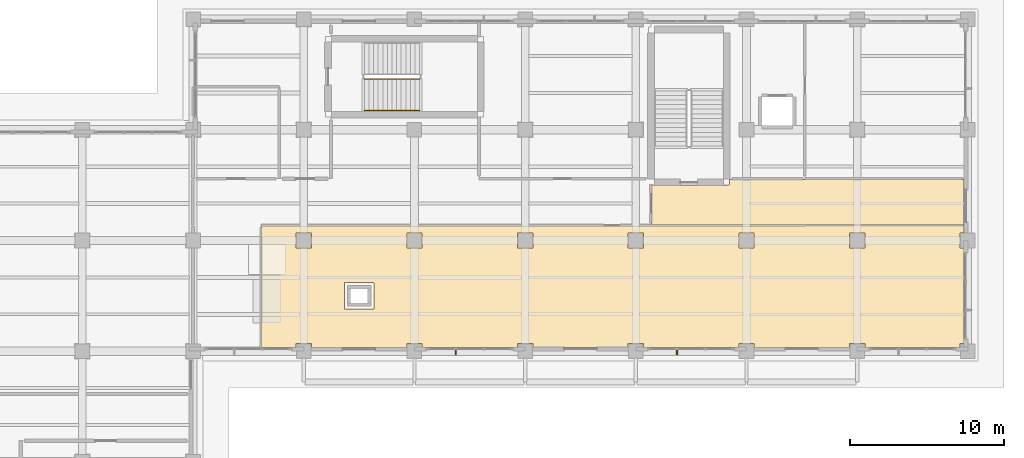
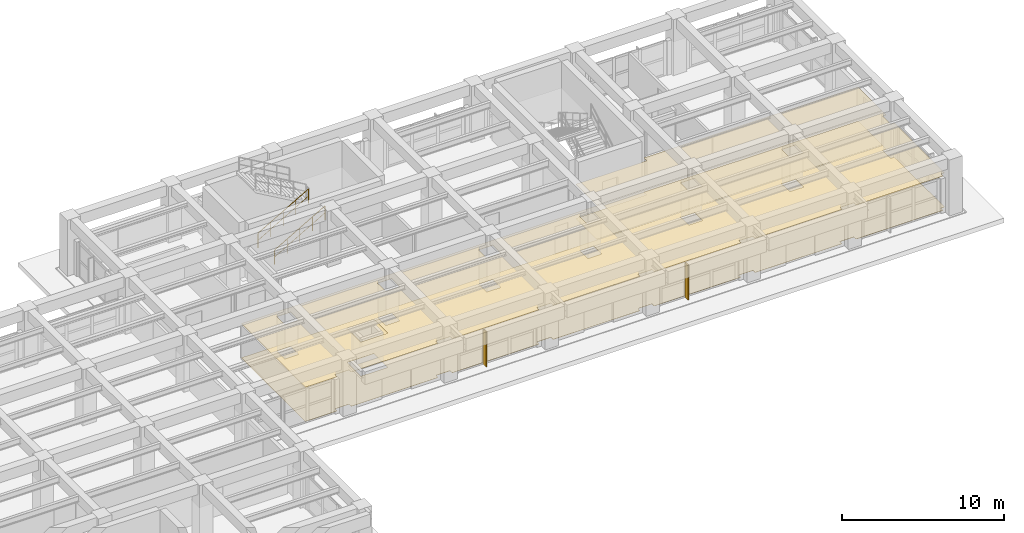
# One storey, part 62 of 64: 4 coverings, 2 railings, 2 shading devices.
"""IFC4 building model written with IfcOpenShell, lengths in metres."""

from ifc_helpers import new_model, si_unit, direction, frame, origin, origin_2d, place, context, subcontext, project, spatial, polyline, rectangle, circle, outline, extrude, material, layer, layer_set, material_profile, profile_set, type_object, element, save


model = new_model("IFC4")

# Units and contexts
model_context = context("Model", 3, precision=1e-05, world=origin(), true_north=direction((0.0, 1.0)))
body_context = subcontext(model_context, "Body", "Model", "MODEL_VIEW")
ifc_project = project(units=[si_unit("LENGTHUNIT", "METRE"), si_unit("AREAUNIT", "SQUARE_METRE"), si_unit("VOLUMEUNIT", "CUBIC_METRE"), si_unit("PLANEANGLEUNIT", "RADIAN"), si_unit("MASSUNIT", "GRAM", prefix="KILO")], contexts=[model_context])

# Site, building, storey
site_placement = place(None, origin())
site = spatial("IfcSite", under=ifc_project, at=site_placement, CompositionType="ELEMENT")
building_placement = place(site_placement, origin())
building = spatial("IfcBuilding", under=site, at=building_placement, Name="Solenvale Faculty of Natural Sciences", CompositionType="ELEMENT")
storey_placement = place(building_placement, origin())
storey = spatial("IfcBuildingStorey", under=building, at=storey_placement, Name="L00", CompositionType="ELEMENT", Elevation=0.0)

# Coverings
ifc_material_1 = material(Name="Acoustic mineral-timber ceiling", Category="wood")
ifc_layer_1 = layer(ifc_material_1, 0.02490234375)
ifc_layer_set_1 = layer_set([ifc_layer_1], Name="Acoustic mineral-timber ceiling")
covering_type_1 = type_object("IfcCoveringType", Name="COV-CEIL-AC25", PredefinedType="CEILING", material=ifc_layer_set_1)
covering_1_placement = place(storey_placement, frame((0.0, 0.0, 2.574951171875)))
element("IfcCovering", 1, at=covering_1_placement, inside=storey, type_object=covering_type_1, Name="L00 Natural History Specimen Exhibition Room Acoustic Ceiling", PredefinedType="CEILING", context=body_context, shape_type="SweptSolid", body=[
    extrude(outline(polyline([(165.360107421875, 43.72998046875), (165.3359375, 43.700927734375), (165.111083984375, 43.699951171875), (165.10009765625, 43.68896484375), (165.10009765625, 42.70703125), (165.3330078125, 42.699951171875), (165.360107421875, 42.669921875), (165.360107421875, 36.530029296875), (165.3330078125, 36.5), (165.10302734375, 36.4970703125), (165.10009765625, 36.26708984375), (165.075927734375, 36.240966796875), (158.929931640625, 36.239990234375), (158.90087890625, 36.263916015625), (158.89990234375, 36.489013671875), (158.888916015625, 36.5), (157.906982421875, 36.5), (157.89990234375, 36.26708984375), (157.8701171875, 36.239990234375), (151.72998046875, 36.239990234375), (151.700927734375, 36.263916015625), (151.699951171875, 36.489013671875), (151.68896484375, 36.5), (150.70703125, 36.5), (150.699951171875, 36.26708984375), (150.669921875, 36.239990234375), (144.530029296875, 36.239990234375), (144.5009765625, 36.263916015625), (144.5, 36.489013671875), (144.489013671875, 36.5), (143.507080078125, 36.5), (143.5, 36.26708984375), (143.469970703125, 36.239990234375), (137.330078125, 36.239990234375), (137.301025390625, 36.263916015625), (137.300048828125, 36.489013671875), (137.2890625, 36.5), (136.306884765625, 36.5), (136.300048828125, 36.26708984375), (136.27001953125, 36.239990234375), (130.1298828125, 36.239990234375), (130.10107421875, 36.263916015625), (130.10009765625, 36.489013671875), (130.089111328125, 36.5), (129.10693359375, 36.5), (129.10009765625, 36.26708984375), (129.070068359375, 36.239990234375), (122.929931640625, 36.239990234375), (122.90087890625, 36.263916015625), (122.89990234375, 36.489013671875), (122.888916015625, 36.5), (121.906982421875, 36.5), (121.89990234375, 36.26708984375), (121.873046875, 36.239990234375), (119.669921875, 36.239990234375), (119.64111328125, 36.263916015625), (119.639892578125, 44.1298828125), (119.6640625, 44.158935546875), (165.330078125, 44.159912109375), (165.360107421875, 44.133056640625), (165.360107421875, 43.72998046875)]), holes=[polyline([(158.89990234375, 43.68896484375), (158.888916015625, 43.699951171875), (157.903076171875, 43.697021484375), (157.903076171875, 42.702880859375), (158.89697265625, 42.702880859375), (158.89990234375, 43.68896484375)]), polyline([(150.7109375, 43.699951171875), (150.699951171875, 43.68896484375), (150.702880859375, 42.702880859375), (151.697021484375, 42.702880859375), (151.697021484375, 43.697021484375), (150.7109375, 43.699951171875)]), polyline([(144.5, 43.68896484375), (144.489013671875, 43.699951171875), (143.5029296875, 43.697021484375), (143.5029296875, 42.702880859375), (144.4970703125, 42.702880859375), (144.5, 43.68896484375)]), polyline([(137.300048828125, 43.68896484375), (137.2890625, 43.699951171875), (136.302978515625, 43.697021484375), (136.302978515625, 42.702880859375), (137.297119140625, 42.702880859375), (137.300048828125, 43.68896484375)]), polyline([(130.10009765625, 43.68896484375), (130.089111328125, 43.699951171875), (129.10302734375, 43.697021484375), (129.10302734375, 42.702880859375), (130.096923828125, 42.702880859375), (130.10009765625, 43.68896484375)]), polyline([(126.931884765625, 38.739990234375), (126.951904296875, 38.75), (126.9599609375, 38.77001953125), (126.9599609375, 40.429931640625), (126.949951171875, 40.451904296875), (125.070068359375, 40.4599609375), (125.048095703125, 40.449951171875), (125.0400390625, 38.77001953125), (125.050048828125, 38.748046875), (126.931884765625, 38.739990234375)]), polyline([(122.89990234375, 43.68896484375), (122.888916015625, 43.699951171875), (121.903076171875, 43.697021484375), (121.903076171875, 42.702880859375), (122.89697265625, 42.702880859375), (122.89990234375, 43.68896484375)])]), origin(), (0.0, 0.0, 1.0), 0.025146484375),
])
covering_2_placement = place(storey_placement, frame((0.0, 0.0, 2.574951171875)))
element("IfcCovering", 2, at=covering_2_placement, inside=storey, type_object=covering_type_1, Name="L00 Protected Exit Passage ST-02 Acoustic Ceiling", PredefinedType="CEILING", context=body_context, shape_type="SweptSolid", body=[
    extrude(outline(polyline([(150.050048828125, 46.820068359375), (150.080078125, 46.844970703125), (150.080078125, 47.153076171875), (150.110107421875, 47.179931640625), (165.3359375, 47.178955078125), (165.360107421875, 47.14990234375), (165.35888671875, 44.243896484375), (165.330078125, 44.219970703125), (145.050048828125, 44.219970703125), (145.02392578125, 44.236083984375), (145.02001953125, 46.7900390625), (145.035888671875, 46.81591796875), (150.050048828125, 46.820068359375)])), origin(), (0.0, 0.0, 1.0), 0.025146484375),
])
ifc_material_2 = material(Name="Polished slate terrazzo flooring", Category="masonry")
ifc_layer_2 = layer(ifc_material_2, 0.01806640625)
ifc_layer_set_2 = layer_set([ifc_layer_2], Name="Polished slate terrazzo flooring")
covering_type_2 = type_object("IfcCoveringType", Name="COV-FLR-TRZ18", PredefinedType="FLOORING", material=ifc_layer_set_2)
covering_3_placement = place(storey_placement, origin())
element("IfcCovering", 3, at=covering_3_placement, inside=storey, type_object=covering_type_2, Name="L00 Natural History Specimen Exhibition Room Floor Finish", PredefinedType="FLOORING", context=body_context, shape_type="SweptSolid", body=[
    extrude(outline(polyline([(165.360107421875, 43.72998046875), (165.3359375, 43.700927734375), (165.111083984375, 43.699951171875), (165.10009765625, 43.68896484375), (165.10009765625, 42.70703125), (165.3330078125, 42.699951171875), (165.360107421875, 42.669921875), (165.360107421875, 36.530029296875), (165.3330078125, 36.5), (165.10302734375, 36.4970703125), (165.10009765625, 36.26708984375), (165.075927734375, 36.240966796875), (158.929931640625, 36.239990234375), (158.90087890625, 36.263916015625), (158.89990234375, 36.489013671875), (158.888916015625, 36.5), (157.906982421875, 36.5), (157.89990234375, 36.26708984375), (157.8701171875, 36.239990234375), (151.72998046875, 36.239990234375), (151.700927734375, 36.263916015625), (151.699951171875, 36.489013671875), (151.68896484375, 36.5), (150.70703125, 36.5), (150.699951171875, 36.26708984375), (150.669921875, 36.239990234375), (144.530029296875, 36.239990234375), (144.5009765625, 36.263916015625), (144.5, 36.489013671875), (144.489013671875, 36.5), (143.507080078125, 36.5), (143.5, 36.26708984375), (143.469970703125, 36.239990234375), (137.330078125, 36.239990234375), (137.301025390625, 36.263916015625), (137.300048828125, 36.489013671875), (137.2890625, 36.5), (136.306884765625, 36.5), (136.300048828125, 36.26708984375), (136.27001953125, 36.239990234375), (130.1298828125, 36.239990234375), (130.10107421875, 36.263916015625), (130.10009765625, 36.489013671875), (130.089111328125, 36.5), (129.10693359375, 36.5), (129.10009765625, 36.26708984375), (129.070068359375, 36.239990234375), (122.929931640625, 36.239990234375), (122.90087890625, 36.263916015625), (122.89990234375, 36.489013671875), (122.888916015625, 36.5), (121.906982421875, 36.5), (121.89990234375, 36.26708984375), (121.873046875, 36.239990234375), (119.669921875, 36.239990234375), (119.64111328125, 36.263916015625), (119.639892578125, 44.1298828125), (119.6640625, 44.158935546875), (165.330078125, 44.159912109375), (165.360107421875, 44.133056640625), (165.360107421875, 43.72998046875)]), holes=[polyline([(158.89990234375, 43.68896484375), (158.888916015625, 43.699951171875), (157.903076171875, 43.697021484375), (157.903076171875, 42.702880859375), (158.89697265625, 42.702880859375), (158.89990234375, 43.68896484375)]), polyline([(150.7109375, 43.699951171875), (150.699951171875, 43.68896484375), (150.702880859375, 42.702880859375), (151.697021484375, 42.702880859375), (151.697021484375, 43.697021484375), (150.7109375, 43.699951171875)]), polyline([(144.5, 43.68896484375), (144.489013671875, 43.699951171875), (143.5029296875, 43.697021484375), (143.5029296875, 42.702880859375), (144.4970703125, 42.702880859375), (144.5, 43.68896484375)]), polyline([(137.300048828125, 43.68896484375), (137.2890625, 43.699951171875), (136.302978515625, 43.697021484375), (136.302978515625, 42.702880859375), (137.297119140625, 42.702880859375), (137.300048828125, 43.68896484375)]), polyline([(130.10009765625, 43.68896484375), (130.089111328125, 43.699951171875), (129.10302734375, 43.697021484375), (129.10302734375, 42.702880859375), (130.096923828125, 42.702880859375), (130.10009765625, 43.68896484375)]), polyline([(126.931884765625, 38.739990234375), (126.951904296875, 38.75), (126.9599609375, 38.77001953125), (126.9599609375, 40.429931640625), (126.949951171875, 40.451904296875), (125.070068359375, 40.4599609375), (125.048095703125, 40.449951171875), (125.0400390625, 38.77001953125), (125.050048828125, 38.748046875), (126.931884765625, 38.739990234375)]), polyline([(122.89990234375, 43.68896484375), (122.888916015625, 43.699951171875), (121.903076171875, 43.697021484375), (121.903076171875, 42.702880859375), (122.89697265625, 42.702880859375), (122.89990234375, 43.68896484375)])]), origin(), (0.0, 0.0, 1.0), 0.01806640625),
])
covering_4_placement = place(storey_placement, origin())
element("IfcCovering", 4, at=covering_4_placement, inside=storey, type_object=covering_type_2, Name="L00 Protected Exit Passage ST-02 Floor Finish", PredefinedType="FLOORING", context=body_context, shape_type="SweptSolid", body=[
    extrude(outline(polyline([(150.050048828125, 46.820068359375), (150.080078125, 46.844970703125), (150.080078125, 47.153076171875), (150.110107421875, 47.179931640625), (165.3359375, 47.178955078125), (165.360107421875, 47.14990234375), (165.35888671875, 44.243896484375), (165.330078125, 44.219970703125), (145.050048828125, 44.219970703125), (145.02392578125, 44.236083984375), (145.02001953125, 46.7900390625), (145.035888671875, 46.81591796875), (150.050048828125, 46.820068359375)])), origin(), (0.0, 0.0, 1.0), 0.01806640625),
])

# Railings
ifc_material_3 = material(Name="Stainless steel Grade 304", Category="steel")
railing_type_1 = type_object("IfcRailingType", Name="RL-GRD-1100", PredefinedType="GUARDRAIL", material=ifc_material_3)
railing_1_placement = place(storey_placement, frame((126.340087890625, 53.699951171875, 0.173095703125)))
element("IfcRailing", 5, at=railing_1_placement, inside=storey, type_object=railing_type_1, Name="L00 ST-08 stair guard 1", PredefinedType="GUARDRAIL", context=body_context, shape_type="SweptSolid", body=[
    extrude(circle(Radius=0.02392578125, at=origin_2d()), frame((0.0, 0.0, 1.09619140625), z_axis=(0.866178740119, 0.0, 0.499734319579), x_axis=(0.0, 1.0, 0.0)), (0.0, 0.0, 1.0), 4.156005859375),
    extrude(circle(Radius=0.01611328125, at=origin_2d()), frame((0.0, 0.0, 0.56005859375), z_axis=(0.866178740119, 0.0, 0.499734319579), x_axis=(0.0, 1.0, 0.0)), (0.0, 0.0, 1.0), 4.156005859375),
    extrude(circle(Radius=0.02099609375, at=origin_2d()), origin(), (0.0, 0.0, 1.0), 1.072021484375),
    extrude(circle(Radius=0.02099609375, at=origin_2d()), frame((0.89990234375, 0.0, 0.519287109375)), (0.0, 0.0, 1.0), 1.072021484375),
    extrude(circle(Radius=0.02099609375, at=origin_2d()), frame((1.7998046875, 0.0, 1.03857421875)), (0.0, 0.0, 1.0), 1.072021484375),
    extrude(circle(Radius=0.02099609375, at=origin_2d()), frame((2.699951171875, 0.0, 1.5576171875)), (0.0, 0.0, 1.0), 1.072021484375),
    extrude(circle(Radius=0.02099609375, at=origin_2d()), frame((3.599853515625, 0.0, 2.076904296875)), (0.0, 0.0, 1.0), 1.072021484375),
])
railing_type_2 = type_object("IfcRailingType", Name="RL-HND-900", PredefinedType="HANDRAIL", material=ifc_material_3)
railing_2_placement = place(storey_placement, frame((126.340087890625, 51.64990234375, 0.173095703125)))
element("IfcRailing", 6, at=railing_2_placement, inside=storey, type_object=railing_type_2, Name="L00 ST-08 stair handrail 1", PredefinedType="HANDRAIL", context=body_context, shape_type="SweptSolid", body=[
    extrude(circle(Radius=0.02392578125, at=origin_2d()), frame((0.0, 0.0, 1.0732421875), z_axis=(0.866178740119, 0.0, 0.499734319579), x_axis=(0.0, 1.0, 0.0)), (0.0, 0.0, 1.0), 4.156005859375),
    extrude(circle(Radius=0.01611328125, at=origin_2d()), frame((0.0, 0.0, 0.548583984375), z_axis=(0.866178740119, 0.0, 0.499734319579), x_axis=(0.0, 1.0, 0.0)), (0.0, 0.0, 1.0), 4.156005859375),
    extrude(circle(Radius=0.02099609375, at=origin_2d()), origin(), (0.0, 0.0, 1.0), 1.049072265625),
    extrude(circle(Radius=0.02099609375, at=origin_2d()), frame((0.89990234375, 0.0, 0.519287109375)), (0.0, 0.0, 1.0), 1.049072265625),
    extrude(circle(Radius=0.02099609375, at=origin_2d()), frame((1.7998046875, 0.0, 1.03857421875)), (0.0, 0.0, 1.0), 1.049072265625),
    extrude(circle(Radius=0.02099609375, at=origin_2d()), frame((2.699951171875, 0.0, 1.5576171875)), (0.0, 0.0, 1.0), 1.049072265625),
    extrude(circle(Radius=0.02099609375, at=origin_2d()), frame((3.599853515625, 0.0, 2.076904296875)), (0.0, 0.0, 1.0), 1.049072265625),
])

# Shading devices
ifc_material_4 = material(Name="Anodised bronze aluminium", Category="aluminium")
ifc_material_profile = material_profile(ifc_material_4, rectangle(XDim=0.080078125, YDim=0.360107421875, at=origin_2d()), Name="ALU-FIN-80x360")
ifc_profile_set = profile_set([ifc_material_profile], Name="Anodised bronze aluminium")
shading_device_type = type_object("IfcShadingDeviceType", Name="SHD-FIN-360", PredefinedType="JALOUSIE", material=ifc_profile_set)
for number, where, z_axis, x_axis, name in (
    (7, (132.283447265625, 35.93994140625, -0.02001953125), (0.0, 0.0, 1.0), (1.0, 0.0, 0.0), "L00 Vertical Brise-Soleil Fin 5.3"),
    (8, (146.683349609375, 35.93994140625, -0.02001953125), (0.0, 0.0, 1.0), (1.0, 0.0, 0.0), "L00 Vertical Brise-Soleil Fin 5.5"),
):
    element("IfcShadingDevice", number, at=place(storey_placement, frame(where, z_axis=z_axis, x_axis=x_axis)), inside=storey, type_object=shading_device_type, Name=name, PredefinedType="JALOUSIE", context=body_context, shape_type="SweptSolid", body=[
        extrude(rectangle(XDim=0.080078125, YDim=0.360107421875, at=origin_2d()), origin(), (0.0, 0.0, 1.0), 2.6201171875),
    ])

save(model, "model.ifc")
